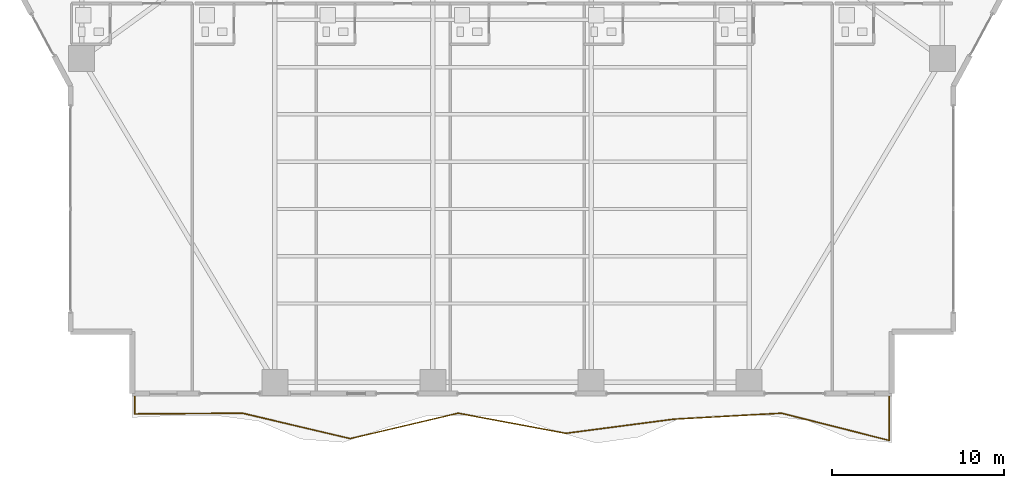
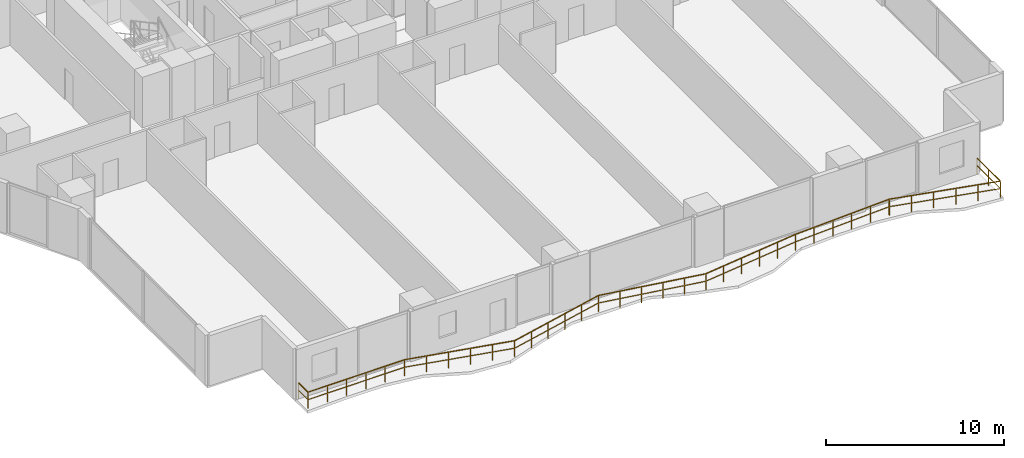
# One storey, part 24 of 28: 1 railing.
"""IFC4 building model written with IfcOpenShell, lengths in metres."""

from ifc_helpers import new_model, si_unit, direction, frame, origin, origin_2d, place, context, subcontext, project, spatial, rectangle, extrude, material, type_object, element, save


model = new_model("IFC4")

# Units and contexts
model_context = context("Model", 3, precision=1e-05, world=origin(), true_north=direction((0.0, 1.0)))
body_context = subcontext(model_context, "Body", "Model", "MODEL_VIEW")
ifc_project = project(units=[si_unit("LENGTHUNIT", "METRE"), si_unit("AREAUNIT", "SQUARE_METRE"), si_unit("VOLUMEUNIT", "CUBIC_METRE"), si_unit("PLANEANGLEUNIT", "RADIAN"), si_unit("MASSUNIT", "GRAM", prefix="KILO")], contexts=[model_context])

# Site, building, storey
site_placement = place(None, origin())
site = spatial("IfcSite", under=ifc_project, at=site_placement, CompositionType="ELEMENT")
building_placement = place(site_placement, origin())
building = spatial("IfcBuilding", under=site, at=building_placement, Name="Zuhayl Quay Hotel", CompositionType="ELEMENT")
storey_placement = place(building_placement, frame((0.0, 0.0, 49.5)))
storey = spatial("IfcBuildingStorey", under=building, at=storey_placement, Name="L11", CompositionType="ELEMENT", Elevation=49.5)

# Railing
ifc_material = material(Name="Anodised Aluminium and Laminated Glass", Category="aluminium")
railing_type = type_object("IfcRailingType", Name="RL_EXT_BAL_1100", PredefinedType="BALUSTRADE", material=ifc_material)
railing_placement = place(storey_placement, frame((-21.9599609375, -23.219970703125, 0.0)))
element("IfcRailing", 1, at=railing_placement, inside=storey, type_object=railing_type, Name="L11 Balcony and Terrace Guard GR_L11_BAL_S", PredefinedType="BALUSTRADE", context=body_context, shape_type="SweptSolid", body=[
    extrude(rectangle(XDim=0.048095703125, YDim=0.048095703125, at=origin_2d()), frame((0.0, 0.0, 1.09619140625), z_axis=(0.0, -1.0, 0.0), x_axis=(1.0, 0.0, 0.0)), (0.0, 0.0, 1.0), 1.063232421875),
    extrude(rectangle(XDim=0.0361328125, YDim=0.0361328125, at=origin_2d()), frame((0.0, 0.0, 0.58251953125), z_axis=(0.0, -1.0, 0.0), x_axis=(1.0, 0.0, 0.0)), (0.0, 0.0, 1.0), 1.063232421875),
    extrude(rectangle(XDim=0.048095703125, YDim=0.048095703125, at=origin_2d()), frame((0.0, -1.063232421875, 1.09619140625), z_axis=(0.999976282515, 0.006887264174, 0.0), x_axis=(-0.006887264174, 0.999976282515, 0.0)), (0.0, 0.0, 1.0), 6.2744140625),
    extrude(rectangle(XDim=0.0361328125, YDim=0.0361328125, at=origin_2d()), frame((0.0, -1.063232421875, 0.58251953125), z_axis=(0.999976282515, 0.006887264174, 0.0), x_axis=(-0.006887264174, 0.999976282515, 0.0)), (0.0, 0.0, 1.0), 6.2744140625),
    extrude(rectangle(XDim=0.048095703125, YDim=0.048095703125, at=origin_2d()), frame((6.274169921875, -1.02001953125, 1.09619140625), z_axis=(0.973333161745, -0.229396068509, 0.0), x_axis=(0.229396068509, 0.973333161745, 0.0)), (0.0, 0.0, 1.0), 6.4462890625),
    extrude(rectangle(XDim=0.0361328125, YDim=0.0361328125, at=origin_2d()), frame((6.274169921875, -1.02001953125, 0.58251953125), z_axis=(0.973333161745, -0.229396068509, 0.0), x_axis=(0.229396068509, 0.973333161745, 0.0)), (0.0, 0.0, 1.0), 6.4462890625),
    extrude(rectangle(XDim=0.048095703125, YDim=0.048095703125, at=origin_2d()), frame((12.548583984375, -2.498779296875, 1.09619140625), z_axis=(0.973331168667, 0.229404525025, 0.0), x_axis=(-0.229404525025, 0.973331168667, 0.0)), (0.0, 0.0, 1.0), 6.446044921875),
    extrude(rectangle(XDim=0.0361328125, YDim=0.0361328125, at=origin_2d()), frame((12.548583984375, -2.498779296875, 0.58251953125), z_axis=(0.973331168667, 0.229404525025, 0.0), x_axis=(-0.229404525025, 0.973331168667, 0.0)), (0.0, 0.0, 1.0), 6.446044921875),
    extrude(rectangle(XDim=0.048095703125, YDim=0.048095703125, at=origin_2d()), frame((18.82275390625, -1.02001953125, 1.09619140625), z_axis=(0.983036344206, -0.183410866555, 0.0), x_axis=(0.183410866555, 0.983036344206, 0.0)), (0.0, 0.0, 1.0), 6.382568359375),
    extrude(rectangle(XDim=0.0361328125, YDim=0.0361328125, at=origin_2d()), frame((18.82275390625, -1.02001953125, 0.58251953125), z_axis=(0.983036344206, -0.183410866555, 0.0), x_axis=(0.183410866555, 0.983036344206, 0.0)), (0.0, 0.0, 1.0), 6.382568359375),
    extrude(rectangle(XDim=0.048095703125, YDim=0.048095703125, at=origin_2d()), frame((25.09716796875, -2.190673828125, 1.09619140625), z_axis=(0.991511324531, 0.130020357355, 0.0), x_axis=(-0.130020357355, 0.991511324531, 0.0)), (0.0, 0.0, 1.0), 6.327880859375),
    extrude(rectangle(XDim=0.0361328125, YDim=0.0361328125, at=origin_2d()), frame((25.09716796875, -2.190673828125, 0.58251953125), z_axis=(0.991511324531, 0.130020357355, 0.0), x_axis=(-0.130020357355, 0.991511324531, 0.0)), (0.0, 0.0, 1.0), 6.327880859375),
    extrude(rectangle(XDim=0.048095703125, YDim=0.048095703125, at=origin_2d()), frame((31.371337890625, -1.367919921875, 1.09619140625), z_axis=(0.99846632446, 0.055362432387, 0.0), x_axis=(-0.055362432387, 0.99846632446, 0.0)), (0.0, 0.0, 1.0), 6.283935546875),
    extrude(rectangle(XDim=0.0361328125, YDim=0.0361328125, at=origin_2d()), frame((31.371337890625, -1.367919921875, 0.58251953125), z_axis=(0.99846632446, 0.055362432387, 0.0), x_axis=(-0.055362432387, 0.99846632446, 0.0)), (0.0, 0.0, 1.0), 6.283935546875),
    extrude(rectangle(XDim=0.048095703125, YDim=0.048095703125, at=origin_2d()), frame((37.645751953125, -1.02001953125, 1.09619140625), z_axis=(0.969497781481, -0.245100085073, 0.0), x_axis=(0.245100085073, 0.969497781481, 0.0)), (0.0, 0.0, 1.0), 6.4716796875),
    extrude(rectangle(XDim=0.0361328125, YDim=0.0361328125, at=origin_2d()), frame((37.645751953125, -1.02001953125, 0.58251953125), z_axis=(0.969497781481, -0.245100085073, 0.0), x_axis=(0.245100085073, 0.969497781481, 0.0)), (0.0, 0.0, 1.0), 6.4716796875),
    extrude(rectangle(XDim=0.048095703125, YDim=0.048095703125, at=origin_2d()), frame((43.919921875, -2.606201171875, 1.09619140625), z_axis=(0.0, 1.0, 0.0), x_axis=(-1.0, 0.0, 0.0)), (0.0, 0.0, 1.0), 2.606201171875),
    extrude(rectangle(XDim=0.0361328125, YDim=0.0361328125, at=origin_2d()), frame((43.919921875, -2.606201171875, 0.58251953125), z_axis=(0.0, 1.0, 0.0), x_axis=(-1.0, 0.0, 0.0)), (0.0, 0.0, 1.0), 2.606201171875),
    extrude(rectangle(XDim=0.0419921875, YDim=0.0419921875, at=origin_2d()), origin(), (0.0, 0.0, 1.0), 1.072021484375),
    extrude(rectangle(XDim=0.0419921875, YDim=0.0419921875, at=origin_2d()), frame((0.0, -1.063232421875, 0.0)), (0.0, 0.0, 1.0), 1.072021484375),
    extrude(rectangle(XDim=0.0419921875, YDim=0.0419921875, at=origin_2d()), frame((1.2548828125, -1.0546875, 0.0)), (0.0, 0.0, 1.0), 1.072021484375),
    extrude(rectangle(XDim=0.0419921875, YDim=0.0419921875, at=origin_2d()), frame((2.509765625, -1.0458984375, 0.0)), (0.0, 0.0, 1.0), 1.072021484375),
    extrude(rectangle(XDim=0.0419921875, YDim=0.0419921875, at=origin_2d()), frame((3.764404296875, -1.037353515625, 0.0)), (0.0, 0.0, 1.0), 1.072021484375),
    extrude(rectangle(XDim=0.0419921875, YDim=0.0419921875, at=origin_2d()), frame((5.019287109375, -1.028564453125, 0.0)), (0.0, 0.0, 1.0), 1.072021484375),
    extrude(rectangle(XDim=0.0419921875, YDim=0.0419921875, at=origin_2d()), frame((6.274169921875, -1.02001953125, 0.0)), (0.0, 0.0, 1.0), 1.072021484375),
    extrude(rectangle(XDim=0.0419921875, YDim=0.0419921875, at=origin_2d()), frame((7.529052734375, -1.315673828125, 0.0)), (0.0, 0.0, 1.0), 1.072021484375),
    extrude(rectangle(XDim=0.0419921875, YDim=0.0419921875, at=origin_2d()), frame((8.783935546875, -1.611572265625, 0.0)), (0.0, 0.0, 1.0), 1.072021484375),
    extrude(rectangle(XDim=0.0419921875, YDim=0.0419921875, at=origin_2d()), frame((10.038818359375, -1.9072265625, 0.0)), (0.0, 0.0, 1.0), 1.072021484375),
    extrude(rectangle(XDim=0.0419921875, YDim=0.0419921875, at=origin_2d()), frame((11.293701171875, -2.203125, 0.0)), (0.0, 0.0, 1.0), 1.072021484375),
    extrude(rectangle(XDim=0.0419921875, YDim=0.0419921875, at=origin_2d()), frame((12.548583984375, -2.498779296875, 0.0)), (0.0, 0.0, 1.0), 1.072021484375),
    extrude(rectangle(XDim=0.0419921875, YDim=0.0419921875, at=origin_2d()), frame((13.803466796875, -2.203125, 0.0)), (0.0, 0.0, 1.0), 1.072021484375),
    extrude(rectangle(XDim=0.0419921875, YDim=0.0419921875, at=origin_2d()), frame((15.058349609375, -1.9072265625, 0.0)), (0.0, 0.0, 1.0), 1.072021484375),
    extrude(rectangle(XDim=0.0419921875, YDim=0.0419921875, at=origin_2d()), frame((16.31298828125, -1.611572265625, 0.0)), (0.0, 0.0, 1.0), 1.072021484375),
    extrude(rectangle(XDim=0.0419921875, YDim=0.0419921875, at=origin_2d()), frame((17.56787109375, -1.315673828125, 0.0)), (0.0, 0.0, 1.0), 1.072021484375),
    extrude(rectangle(XDim=0.0419921875, YDim=0.0419921875, at=origin_2d()), frame((18.82275390625, -1.02001953125, 0.0)), (0.0, 0.0, 1.0), 1.072021484375),
    extrude(rectangle(XDim=0.0419921875, YDim=0.0419921875, at=origin_2d()), frame((20.07763671875, -1.254150390625, 0.0)), (0.0, 0.0, 1.0), 1.072021484375),
    extrude(rectangle(XDim=0.0419921875, YDim=0.0419921875, at=origin_2d()), frame((21.33251953125, -1.48828125, 0.0)), (0.0, 0.0, 1.0), 1.072021484375),
    extrude(rectangle(XDim=0.0419921875, YDim=0.0419921875, at=origin_2d()), frame((22.58740234375, -1.722412109375, 0.0)), (0.0, 0.0, 1.0), 1.072021484375),
    extrude(rectangle(XDim=0.0419921875, YDim=0.0419921875, at=origin_2d()), frame((23.84228515625, -1.95654296875, 0.0)), (0.0, 0.0, 1.0), 1.072021484375),
    extrude(rectangle(XDim=0.0419921875, YDim=0.0419921875, at=origin_2d()), frame((25.09716796875, -2.190673828125, 0.0)), (0.0, 0.0, 1.0), 1.072021484375),
    extrude(rectangle(XDim=0.0419921875, YDim=0.0419921875, at=origin_2d()), frame((26.35205078125, -2.026123046875, 0.0)), (0.0, 0.0, 1.0), 1.072021484375),
    extrude(rectangle(XDim=0.0419921875, YDim=0.0419921875, at=origin_2d()), frame((27.60693359375, -1.861572265625, 0.0)), (0.0, 0.0, 1.0), 1.072021484375),
    extrude(rectangle(XDim=0.0419921875, YDim=0.0419921875, at=origin_2d()), frame((28.861572265625, -1.697021484375, 0.0)), (0.0, 0.0, 1.0), 1.072021484375),
    extrude(rectangle(XDim=0.0419921875, YDim=0.0419921875, at=origin_2d()), frame((30.116455078125, -1.532470703125, 0.0)), (0.0, 0.0, 1.0), 1.072021484375),
    extrude(rectangle(XDim=0.0419921875, YDim=0.0419921875, at=origin_2d()), frame((31.371337890625, -1.367919921875, 0.0)), (0.0, 0.0, 1.0), 1.072021484375),
    extrude(rectangle(XDim=0.0419921875, YDim=0.0419921875, at=origin_2d()), frame((32.626220703125, -1.29833984375, 0.0)), (0.0, 0.0, 1.0), 1.072021484375),
    extrude(rectangle(XDim=0.0419921875, YDim=0.0419921875, at=origin_2d()), frame((33.881103515625, -1.228759765625, 0.0)), (0.0, 0.0, 1.0), 1.072021484375),
    extrude(rectangle(XDim=0.0419921875, YDim=0.0419921875, at=origin_2d()), frame((35.135986328125, -1.1591796875, 0.0)), (0.0, 0.0, 1.0), 1.072021484375),
    extrude(rectangle(XDim=0.0419921875, YDim=0.0419921875, at=origin_2d()), frame((36.390869140625, -1.089599609375, 0.0)), (0.0, 0.0, 1.0), 1.072021484375),
    extrude(rectangle(XDim=0.0419921875, YDim=0.0419921875, at=origin_2d()), frame((37.645751953125, -1.02001953125, 0.0)), (0.0, 0.0, 1.0), 1.072021484375),
    extrude(rectangle(XDim=0.0419921875, YDim=0.0419921875, at=origin_2d()), frame((38.900634765625, -1.337158203125, 0.0)), (0.0, 0.0, 1.0), 1.072021484375),
    extrude(rectangle(XDim=0.0419921875, YDim=0.0419921875, at=origin_2d()), frame((40.155517578125, -1.654541015625, 0.0)), (0.0, 0.0, 1.0), 1.072021484375),
    extrude(rectangle(XDim=0.0419921875, YDim=0.0419921875, at=origin_2d()), frame((41.41015625, -1.9716796875, 0.0)), (0.0, 0.0, 1.0), 1.072021484375),
    extrude(rectangle(XDim=0.0419921875, YDim=0.0419921875, at=origin_2d()), frame((42.6650390625, -2.2890625, 0.0)), (0.0, 0.0, 1.0), 1.072021484375),
    extrude(rectangle(XDim=0.0419921875, YDim=0.0419921875, at=origin_2d()), frame((43.919921875, -2.606201171875, 0.0)), (0.0, 0.0, 1.0), 1.072021484375),
    extrude(rectangle(XDim=0.0419921875, YDim=0.0419921875, at=origin_2d()), frame((43.919921875, -1.30322265625, 0.0)), (0.0, 0.0, 1.0), 1.072021484375),
    extrude(rectangle(XDim=0.0419921875, YDim=0.0419921875, at=origin_2d()), frame((43.919921875, 0.0, 0.0)), (0.0, 0.0, 1.0), 1.072021484375),
])

save(model, "model.ifc")
